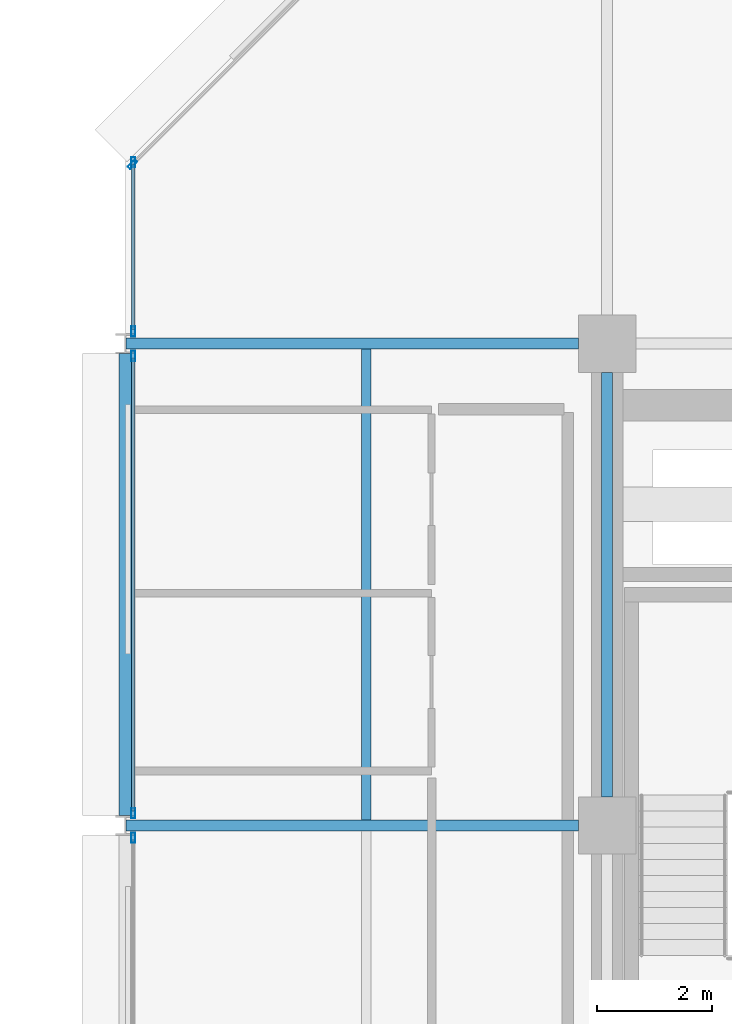
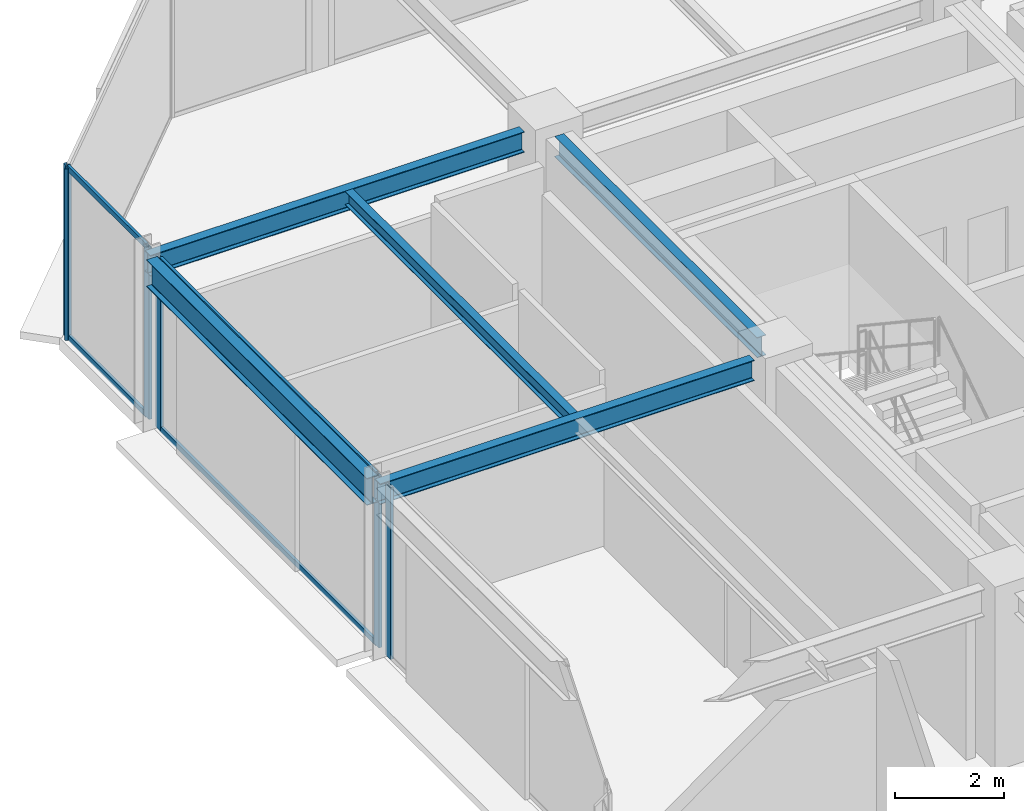
# One storey, part 17 of 29: 10 members, 5 beams, 4 elements without a shape of their own.
"""IFC4 building model written with IfcOpenShell, lengths in metres."""

from ifc_helpers import new_model, si_unit, direction, frame, origin, origin_2d, place, context, subcontext, project, spatial, hollow_rectangle, i_section, extrude, material, layer, layer_set, material_profile, profile_set, type_object, element, aggregate, save


model = new_model("IFC4")

# Units and contexts
model_context = context("Model", 3, precision=1e-05, world=origin(), true_north=direction((0.0, 1.0)))
body_context = subcontext(model_context, "Body", "Model", "MODEL_VIEW")
ifc_project = project(units=[si_unit("LENGTHUNIT", "METRE"), si_unit("AREAUNIT", "SQUARE_METRE"), si_unit("VOLUMEUNIT", "CUBIC_METRE"), si_unit("PLANEANGLEUNIT", "RADIAN"), si_unit("MASSUNIT", "GRAM", prefix="KILO")], contexts=[model_context])

# Site, building, storey
site_placement = place(None, origin())
site = spatial("IfcSite", under=ifc_project, at=site_placement, CompositionType="ELEMENT")
building_placement = place(site_placement, origin())
building = spatial("IfcBuilding", under=site, at=building_placement, Name="Nerrivon Quay Data Exchange", CompositionType="ELEMENT")
storey_placement = place(building_placement, frame((0.0, 0.0, 191.89990234375)))
storey = spatial("IfcBuildingStorey", under=building, at=storey_placement, Name="L45", CompositionType="ELEMENT", Elevation=191.89990234375)

# Beams
ifc_material_1 = material(Name="Steel Grade 350", Category="steel")
ifc_material_profile_1 = material_profile(ifc_material_1, i_section(OverallWidth=0.22802734375, OverallDepth=0.60205078125, WebThickness=0.010498046875, FlangeThickness=0.014892578125, FilletRadius=0.013916015625, at=origin_2d()), Name="610UB101")
ifc_profile_set_1 = profile_set([ifc_material_profile_1], Name="Steel Grade 350")
beam_type_1 = type_object("IfcBeamType", Name="BM-G2-610UB101", PredefinedType="BEAM", material=ifc_profile_set_1)
beam_1_placement = place(storey_placement, frame((0.0, 33.77490234375, 3.524169921875), z_axis=(0.0, 1.0, 0.0), x_axis=(-1.0, 0.0, 0.0)))
element("IfcBeam", 1, at=beam_1_placement, inside=storey, type_object=beam_type_1, Name="L45 NS Girder X=0.0 (33.6..42.0)", PredefinedType="BEAM", context=body_context, shape_type="SweptSolid", body=[
    extrude(i_section(OverallWidth=0.22802734375, OverallDepth=0.60205078125, WebThickness=0.010498046875, FlangeThickness=0.014892578125, FilletRadius=0.013916015625, at=origin_2d()), origin(), (0.0, 0.0, 1.0), 8.050048828125),
])
ifc_material_profile_2 = material_profile(ifc_material_1, i_section(OverallWidth=0.19091796875, OverallDepth=0.4599609375, WebThickness=0.010009765625, FlangeThickness=0.01611328125, FilletRadius=0.011474609375, at=origin_2d()), Name="460UB82.1")
ifc_profile_set_2 = profile_set([ifc_material_profile_2], Name="Steel Grade 350")
beam_type_2 = type_object("IfcBeamType", Name="BM-G5-460UB82", PredefinedType="BEAM", material=ifc_profile_set_2)
for number, where, z_axis, x_axis, name in (
    (2, (0.010009765625, 33.60009765625, 3.59521484375), (1.0, 0.0, 0.0), (0.0, 1.0, 0.0), "L45 EW Girder Y=33.6 (0.0..8.4)"),
    (3, (0.010009765625, 42.0, 3.59521484375), (1.0, 0.0, 0.0), (0.0, 1.0, 0.0), "L45 EW Girder Y=42.0 (0.0..8.4)"),
):
    element("IfcBeam", number, at=place(storey_placement, frame(where, z_axis=z_axis, x_axis=x_axis)), inside=storey, type_object=beam_type_2, Name=name, PredefinedType="BEAM", context=body_context, shape_type="SweptSolid", body=[
        extrude(i_section(OverallWidth=0.19091796875, OverallDepth=0.4599609375, WebThickness=0.010009765625, FlangeThickness=0.01611328125, FilletRadius=0.011474609375, at=origin_2d()), origin(), (0.0, 0.0, 1.0), 7.889892578125),
    ])
ifc_material_profile_3 = material_profile(ifc_material_1, i_section(OverallWidth=0.18994140625, OverallDepth=0.4541015625, WebThickness=0.008544921875, FlangeThickness=0.0126953125, FilletRadius=0.011474609375, at=origin_2d()), Name="460UB67.1")
ifc_profile_set_3 = profile_set([ifc_material_profile_3], Name="Steel Grade 350")
beam_type_3 = type_object("IfcBeamType", Name="BM-G6-460UB67", PredefinedType="BEAM", material=ifc_profile_set_3)
beam_2_placement = place(storey_placement, frame((8.39990234375, 34.10009765625, 3.59814453125), z_axis=(0.0, 1.0, 0.0), x_axis=(-1.0, 0.0, 0.0)))
element("IfcBeam", 4, at=beam_2_placement, inside=storey, type_object=beam_type_3, Name="L45 NS Girder X=8.4 (33.6..42.0)", PredefinedType="BEAM", context=body_context, shape_type="SweptSolid", body=[
    extrude(i_section(OverallWidth=0.18994140625, OverallDepth=0.4541015625, WebThickness=0.008544921875, FlangeThickness=0.0126953125, FilletRadius=0.011474609375, at=origin_2d()), origin(), (0.0, 0.0, 1.0), 7.39990234375),
])
ifc_material_profile_4 = material_profile(ifc_material_1, i_section(OverallWidth=0.166015625, OverallDepth=0.306884765625, WebThickness=0.006591796875, FlangeThickness=0.01171875, FilletRadius=0.011474609375, at=origin_2d()), Name="310UB46.2")
ifc_profile_set_4 = profile_set([ifc_material_profile_4], Name="Steel Grade 350")
beam_type_4 = type_object("IfcBeamType", Name="BM-J5-310UB46", PredefinedType="JOIST", material=ifc_profile_set_4)
beam_3_placement = place(storey_placement, frame((4.199951171875, 33.695556640625, 3.671630859375), z_axis=(0.0, 1.0, 0.0), x_axis=(-1.0, 0.0, 0.0)))
element("IfcBeam", 5, at=beam_3_placement, inside=storey, type_object=beam_type_4, Name="L45 Secondary Joist X=4.2 (33.6..42.0)", PredefinedType="JOIST", context=body_context, shape_type="SweptSolid", body=[
    extrude(i_section(OverallWidth=0.166015625, OverallDepth=0.306884765625, WebThickness=0.006591796875, FlangeThickness=0.01171875, FilletRadius=0.011474609375, at=origin_2d()), origin(), (0.0, 0.0, 1.0), 8.208984375),
])

# Curtain wall, member
ifc_material_2 = material(Name="Anodised aluminium 6063-T6", Category="aluminium")
ifc_layer = layer(ifc_material_2, 0.195068359375)
ifc_layer_set = layer_set([ifc_layer], Name="Anodised aluminium 6063-T6")
curtain_wall_type = type_object("IfcCurtainWallType", Name="CW-SYS-06", PredefinedType="NOTDEFINED", material=ifc_layer_set)
curtain_wall_1_placement = place(storey_placement, origin())
curtain_wall_1 = element("IfcCurtainWall", 6, at=curtain_wall_1_placement, inside=storey, type_object=curtain_wall_type, Name="L45 Unitised Curtain Wall 4", PredefinedType="NOTDEFINED")
ifc_material_profile_5 = material_profile(ifc_material_2, hollow_rectangle(XDim=0.06494140625, YDim=0.179931640625, WallThickness=0.00341796875, at=origin_2d()), Name="ALU-MULL-180x65")
ifc_profile_set_5 = profile_set([ifc_material_profile_5], Name="Anodised aluminium 6063-T6")
member_type_1 = type_object("IfcMemberType", Name="CWM-180x65", PredefinedType="MULLION", material=ifc_profile_set_5)
member_1_placement = place(storey_placement, frame((0.139892578125, 33.387451171875, 0.0), z_axis=(0.0, 0.0, 1.0), x_axis=(-1.0, 0.0, 0.0)))
member_1 = element("IfcMember", 7, at=member_1_placement, type_object=member_type_1, Name="CW06 mullion 2", PredefinedType="MULLION", context=body_context, shape_type="SweptSolid", body=[
    extrude(hollow_rectangle(XDim=0.06494140625, YDim=0.179931640625, WallThickness=0.00341796875, at=origin_2d()), origin(), (0.0, 0.0, 1.0), 3.8251953125),
])
aggregate(curtain_wall_1, [member_1])

# Curtain wall, members
curtain_wall_2_placement = place(storey_placement, origin())
curtain_wall_2 = element("IfcCurtainWall", 8, at=curtain_wall_2_placement, inside=storey, type_object=curtain_wall_type, Name="L45 Unitised Curtain Wall 5", PredefinedType="NOTDEFINED")
member_2_placement = place(storey_placement, frame((0.139892578125, 33.8125, 0.0), z_axis=(0.0, 0.0, 1.0), x_axis=(-1.0, 0.0, 0.0)))
member_2 = element("IfcMember", 9, at=member_2_placement, type_object=member_type_1, Name="CW06 mullion 1", PredefinedType="MULLION", context=body_context, shape_type="SweptSolid", body=[
    extrude(hollow_rectangle(XDim=0.06494140625, YDim=0.179931640625, WallThickness=0.00341796875, at=origin_2d()), origin(), (0.0, 0.0, 1.0), 3.8251953125),
])
member_3_placement = place(storey_placement, frame((0.139892578125, 41.78759765625, 0.0), z_axis=(0.0, 0.0, 1.0), x_axis=(-1.0, 0.0, 0.0)))
member_3 = element("IfcMember", 10, at=member_3_placement, type_object=member_type_1, Name="CW06 mullion 2", PredefinedType="MULLION", context=body_context, shape_type="SweptSolid", body=[
    extrude(hollow_rectangle(XDim=0.06494140625, YDim=0.179931640625, WallThickness=0.00341796875, at=origin_2d()), origin(), (0.0, 0.0, 1.0), 3.8251953125),
])

curtain_wall_3_placement = place(storey_placement, origin())
curtain_wall_3 = element("IfcCurtainWall", 11, at=curtain_wall_3_placement, inside=storey, type_object=curtain_wall_type, Name="L45 Unitised Curtain Wall 6", PredefinedType="NOTDEFINED")
member_4_placement = place(storey_placement, frame((0.139892578125, 42.21240234375, 0.0), z_axis=(0.0, 0.0, 1.0), x_axis=(-1.0, 0.0, 0.0)))
member_4 = element("IfcMember", 12, at=member_4_placement, type_object=member_type_1, Name="CW06 mullion 1", PredefinedType="MULLION", context=body_context, shape_type="SweptSolid", body=[
    extrude(hollow_rectangle(XDim=0.06494140625, YDim=0.179931640625, WallThickness=0.00341796875, at=origin_2d()), origin(), (0.0, 0.0, 1.0), 3.8251953125),
])
member_5_placement = place(storey_placement, frame((0.139892578125, 45.16259765625, 0.0), z_axis=(0.0, 0.0, 1.0), x_axis=(-1.0, 0.0, 0.0)))
member_5 = element("IfcMember", 13, at=member_5_placement, type_object=member_type_1, Name="CW06 mullion 2", PredefinedType="MULLION", context=body_context, shape_type="SweptSolid", body=[
    extrude(hollow_rectangle(XDim=0.06494140625, YDim=0.179931640625, WallThickness=0.00341796875, at=origin_2d()), origin(), (0.0, 0.0, 1.0), 3.8251953125),
])

# Curtain wall, member
curtain_wall_4_placement = place(storey_placement, origin())
curtain_wall_4 = element("IfcCurtainWall", 14, at=curtain_wall_4_placement, inside=storey, type_object=curtain_wall_type, Name="L45 Unitised Curtain Wall 7", PredefinedType="NOTDEFINED")
member_6_placement = place(storey_placement, frame((0.12548828125, 45.12744140625, 0.0), z_axis=(0.0, 0.0, 1.0), x_axis=(-0.707106781187, 0.707106781187, 0.0)))
member_6 = element("IfcMember", 15, at=member_6_placement, type_object=member_type_1, Name="CW06 mullion 1", PredefinedType="MULLION", context=body_context, shape_type="SweptSolid", body=[
    extrude(hollow_rectangle(XDim=0.06494140625, YDim=0.179931640625, WallThickness=0.00341796875, at=origin_2d()), origin(), (0.0, 0.0, 1.0), 3.8251953125),
])
aggregate(curtain_wall_4, [member_6])

# Member
ifc_material_profile_6 = material_profile(ifc_material_2, hollow_rectangle(XDim=0.06005859375, YDim=0.1201171875, WallThickness=0.003173828125, at=origin_2d()), Name="ALU-TRAN-120x60")
ifc_profile_set_6 = profile_set([ifc_material_profile_6], Name="Anodised aluminium 6063-T6")
member_type_2 = type_object("IfcMemberType", Name="CWT-120x60", PredefinedType="USERDEFINED", material=ifc_profile_set_6)
member_7_placement = place(storey_placement, frame((0.139892578125, 33.85009765625, 0.03271484375), z_axis=(0.0, 1.0, 0.0), x_axis=(-1.0, 0.0, 0.0)))
member_7 = element("IfcMember", 16, at=member_7_placement, type_object=member_type_2, Name="CW06 transom 1.1", ObjectType="TRANSOM", PredefinedType="USERDEFINED", context=body_context, shape_type="SweptSolid", body=[
    extrude(hollow_rectangle(XDim=0.06005859375, YDim=0.1201171875, WallThickness=0.003173828125, at=origin_2d()), origin(), (0.0, 0.0, 1.0), 7.89990234375),
])

member_8_placement = place(storey_placement, frame((0.139892578125, 33.85009765625, 3.79248046875), z_axis=(0.0, 1.0, 0.0), x_axis=(-1.0, 0.0, 0.0)))
member_8 = element("IfcMember", 17, at=member_8_placement, type_object=member_type_2, Name="CW06 transom 1.2", ObjectType="TRANSOM", PredefinedType="USERDEFINED", context=body_context, shape_type="SweptSolid", body=[
    extrude(hollow_rectangle(XDim=0.06005859375, YDim=0.1201171875, WallThickness=0.003173828125, at=origin_2d()), origin(), (0.0, 0.0, 1.0), 7.89990234375),
])

aggregate(curtain_wall_2, [member_2, member_3, member_7, member_8])

member_9_placement = place(storey_placement, frame((0.139892578125, 42.25, 0.03271484375), z_axis=(0.0, 1.0, 0.0), x_axis=(-1.0, 0.0, 0.0)))
member_9 = element("IfcMember", 18, at=member_9_placement, type_object=member_type_2, Name="CW06 transom 1.1", ObjectType="TRANSOM", PredefinedType="USERDEFINED", context=body_context, shape_type="SweptSolid", body=[
    extrude(hollow_rectangle(XDim=0.06005859375, YDim=0.1201171875, WallThickness=0.003173828125, at=origin_2d()), origin(), (0.0, 0.0, 1.0), 2.875),
])

member_10_placement = place(storey_placement, frame((0.139892578125, 42.25, 3.79248046875), z_axis=(0.0, 1.0, 0.0), x_axis=(-1.0, 0.0, 0.0)))
member_10 = element("IfcMember", 19, at=member_10_placement, type_object=member_type_2, Name="CW06 transom 1.2", ObjectType="TRANSOM", PredefinedType="USERDEFINED", context=body_context, shape_type="SweptSolid", body=[
    extrude(hollow_rectangle(XDim=0.06005859375, YDim=0.1201171875, WallThickness=0.003173828125, at=origin_2d()), origin(), (0.0, 0.0, 1.0), 2.875),
])

aggregate(curtain_wall_3, [member_4, member_5, member_9, member_10])

save(model, "model.ifc")
